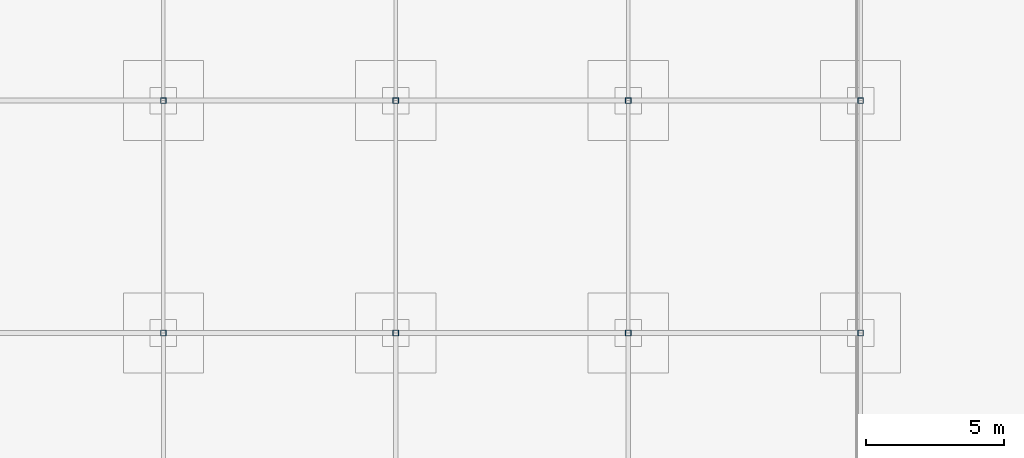
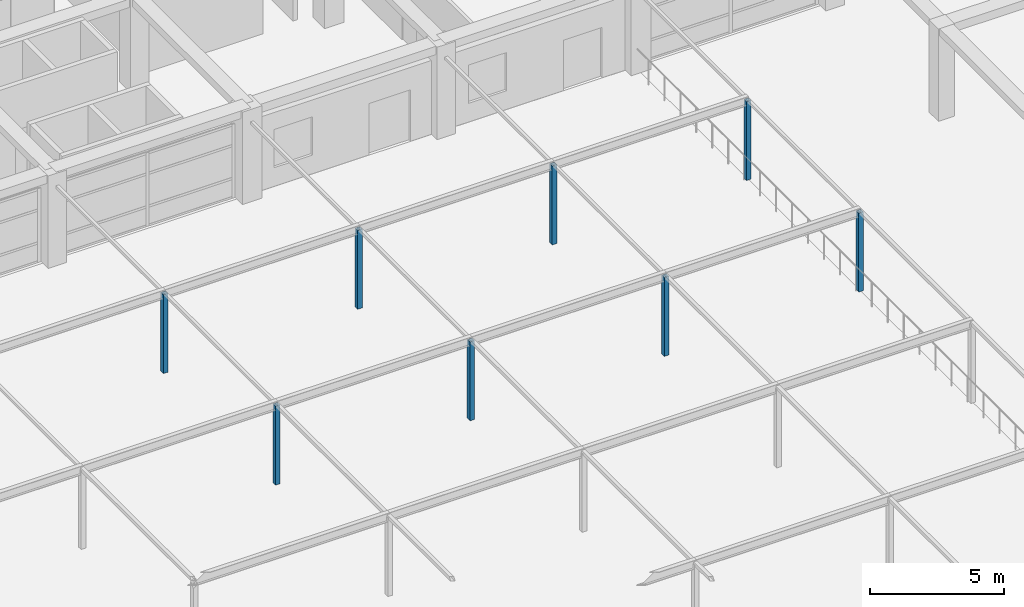
# One storey, part 8 of 85: 8 columns.
"""IFC4 building model written with IfcOpenShell, lengths in metres."""

from ifc_helpers import new_model, si_unit, direction, frame, origin, origin_2d, place, context, subcontext, project, spatial, hollow_rectangle, extrude, material, material_profile, profile_set, type_object, element, save


model = new_model("IFC4")

# Units and contexts
model_context = context("Model", 3, precision=1e-05, world=origin(), true_north=direction((0.0, 1.0)))
body_context = subcontext(model_context, "Body", "Model", "MODEL_VIEW")
ifc_project = project(units=[si_unit("LENGTHUNIT", "METRE"), si_unit("AREAUNIT", "SQUARE_METRE"), si_unit("VOLUMEUNIT", "CUBIC_METRE"), si_unit("PLANEANGLEUNIT", "RADIAN"), si_unit("MASSUNIT", "GRAM", prefix="KILO")], contexts=[model_context])

# Site, building, storey
site_placement = place(None, origin())
site = spatial("IfcSite", under=ifc_project, at=site_placement, CompositionType="ELEMENT")
building_placement = place(site_placement, origin())
building = spatial("IfcBuilding", under=site, at=building_placement, Name="Almacenes y Pasaje Nevantli", CompositionType="ELEMENT")
storey_placement = place(building_placement, frame((0.0, 0.0, 22.199951171875)))
storey = spatial("IfcBuildingStorey", under=building, at=storey_placement, Name="L05", CompositionType="ELEMENT", Elevation=22.199951171875)

# Columns
ifc_material = material(Name="Steel ASTM A500 Grade C", Category="steel")
ifc_material_profile = material_profile(ifc_material, hollow_rectangle(XDim=0.203125, YDim=0.203125, WallThickness=0.009521484375, at=origin_2d()), Name="OR 203x203x9.5")
ifc_profile_set = profile_set([ifc_material_profile], Name="Steel ASTM A500 Grade C")
column_type = type_object("IfcColumnType", Name="COL-STL-OR203", PredefinedType="COLUMN", material=ifc_profile_set)
for number, where, z_axis, x_axis, name in (
    (1, (126.0, 50.39990234375, 0.0), (0.0, 0.0, 1.0), (1.0, 0.0, 0.0), "L05 Ziggurat Terrace Pergola Steel Column #2052"),
    (2, (126.0, 58.800048828125, 0.0), (0.0, 0.0, 1.0), (1.0, 0.0, 0.0), "L05 Ziggurat Terrace Pergola Steel Column #2053"),
    (3, (134.39990234375, 50.39990234375, 0.0), (0.0, 0.0, 1.0), (1.0, 0.0, 0.0), "L05 Ziggurat Terrace Pergola Steel Column #2056"),
    (4, (134.39990234375, 58.800048828125, 0.0), (0.0, 0.0, 1.0), (1.0, 0.0, 0.0), "L05 Ziggurat Terrace Pergola Steel Column #2057"),
    (5, (142.800048828125, 50.39990234375, 0.0), (0.0, 0.0, 1.0), (1.0, 0.0, 0.0), "L05 Ziggurat Terrace Pergola Steel Column #2060"),
    (6, (142.800048828125, 58.800048828125, 0.0), (0.0, 0.0, 1.0), (1.0, 0.0, 0.0), "L05 Ziggurat Terrace Pergola Steel Column #2061"),
    (7, (151.199951171875, 50.39990234375, 0.0), (0.0, 0.0, 1.0), (1.0, 0.0, 0.0), "L05 Ziggurat Terrace Pergola Steel Column #2064"),
    (8, (151.199951171875, 58.800048828125, 0.0), (0.0, 0.0, 1.0), (1.0, 0.0, 0.0), "L05 Ziggurat Terrace Pergola Steel Column #2065"),
):
    element("IfcColumn", number, at=place(storey_placement, frame(where, z_axis=z_axis, x_axis=x_axis)), inside=storey, type_object=column_type, Name=name, PredefinedType="COLUMN", context=body_context, shape_type="SweptSolid", body=[
        extrude(hollow_rectangle(XDim=0.203125, YDim=0.203125, WallThickness=0.009521484375, at=origin_2d()), origin(), (0.0, 0.0, 1.0), 3.60009765625),
    ])

save(model, "model.ifc")
